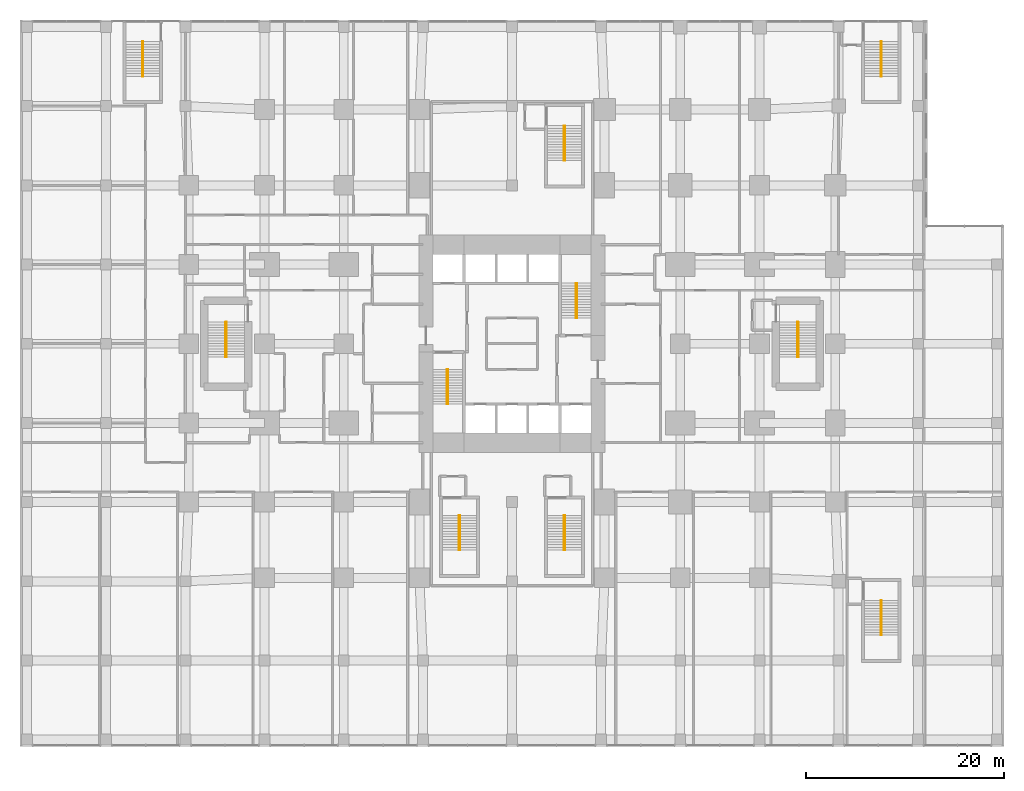
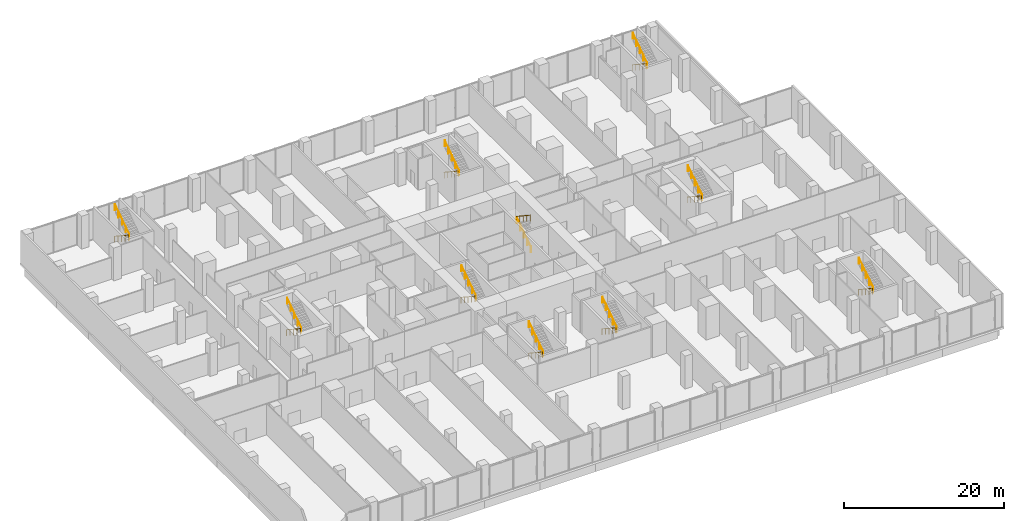
# One storey, part 22 of 22: 20 railings.
"""IFC4 building model written with IfcOpenShell, lengths in metres."""

import ifcopenshell
import ifcopenshell.guid

model = None  # the IFC model being written
_history = None  # IfcOwnerHistory: only IFC2X3 demands one
_inside = {}  # id of a spatial element -> (the spatial element, [elements in it])
_under = {}  # id of a project, library or spatial element -> (it, [spatial elements below it])
_declared = {}  # id of a project -> (the project, [libraries it declares])
_typed = {}  # id of a type object -> (the type object, [elements of that type])
_made_of = {}  # id of a material, layer set ... -> (it, [elements and type objects made of it])


def new_model(schema):
    """Start an empty IFC model of exactly this schema.

    Asked for "IFC4X3", IfcOpenShell would pick the latest addendum, in which some entities
    have other attributes; the version numbers below select the first issue.
    IFC2X3 requires an IfcOwnerHistory on every rooted entity: one is made here for all.
    """
    global model, _history
    if schema == "IFC4X3":
        model = ifcopenshell.file(schema_version=(4, 3, 0, 0))
    else:
        model = ifcopenshell.file(schema=schema)
    _inside.clear()
    _under.clear()
    _declared.clear()
    _typed.clear()
    _made_of.clear()
    _history = None
    if model.schema == "IFC2X3":
        org = make("IfcOrganization", Name="unknown")
        user = make(
            "IfcPersonAndOrganization",
            ThePerson=make("IfcPerson", FamilyName="unknown"),
            TheOrganization=org,
        )
        app = make(
            "IfcApplication",
            ApplicationDeveloper=org,
            Version="unknown",
            ApplicationFullName="unknown",
            ApplicationIdentifier="unknown",
        )
        _history = make(
            "IfcOwnerHistory",
            OwningUser=user,
            OwningApplication=app,
            ChangeAction="ADDED",
            CreationDate=0,
        )
    return model


def make(cls, **values):
    """One entity of the class cls with the attributes given. An attribute that is None is left unset."""
    return model.create_entity(
        cls, **{name: value for name, value in values.items() if value is not None}
    )


def rooted(cls, **values):
    """An entity with a GlobalId (a new one), such as an element, a storey or a relation."""
    return make(cls, GlobalId=ifcopenshell.guid.new(), OwnerHistory=_history, **values)


def si_unit(unit_type, name, prefix=None):
    """IfcSIUnit, for example si_unit("LENGTHUNIT", "METRE", prefix="MILLI")."""
    return make("IfcSIUnit", UnitType=unit_type, Prefix=prefix, Name=name)


def assignment(units):
    """IfcUnitAssignment: the units of a project."""
    return None if units is None else make("IfcUnitAssignment", Units=units)


def point(xyz):
    """IfcCartesianPoint."""
    return None if xyz is None else make("IfcCartesianPoint", Coordinates=xyz)


def direction(xyz):
    """IfcDirection."""
    return None if xyz is None else make("IfcDirection", DirectionRatios=xyz)


def frame(location, z_axis=None, x_axis=None):
    """IfcAxis2Placement3D, a coordinate frame: its origin and axes. An axis left out is left unset."""
    return make(
        "IfcAxis2Placement3D",
        Location=point(location),
        Axis=direction(z_axis),
        RefDirection=direction(x_axis),
    )


def frame_2d(location, x_axis=None):
    """IfcAxis2Placement2D, a coordinate frame in the plane: its origin and x axis."""
    return make(
        "IfcAxis2Placement2D", Location=point(location), RefDirection=direction(x_axis)
    )


def origin():
    """The frame at (0, 0, 0) with its axes left unset."""
    return frame((0.0, 0.0, 0.0))


def origin_2d():
    """The frame at (0, 0) in the plane with its x axis left unset."""
    return frame_2d((0.0, 0.0))


def place(relative_to, where):
    """IfcLocalPlacement: puts the frame where relative to a parent placement (None: the world)."""
    return make(
        "IfcLocalPlacement", PlacementRelTo=relative_to, RelativePlacement=where
    )


def context(
    kind, dimensions, precision=None, world=None, true_north=None, identifier=None
):
    """IfcGeometricRepresentationContext, for example the 3D "Model" context."""
    return make(
        "IfcGeometricRepresentationContext",
        ContextIdentifier=identifier,
        ContextType=kind,
        CoordinateSpaceDimension=dimensions,
        Precision=precision,
        WorldCoordinateSystem=world,
        TrueNorth=true_north,
    )


def subcontext(parent, identifier, kind, view, scale=None):
    """IfcGeometricRepresentationSubContext, for example "Body" below "Model"."""
    return make(
        "IfcGeometricRepresentationSubContext",
        ContextIdentifier=identifier,
        ContextType=kind,
        ParentContext=parent,
        TargetScale=scale,
        TargetView=view,
    )


def project(units=None, contexts=None):
    """IfcProject with its units and contexts."""
    return rooted(
        "IfcProject",
        Name="project",
        RepresentationContexts=contexts,
        UnitsInContext=assignment(units),
    )


def spatial(cls, under=None, at=None, **own):
    """A site, building, storey or space (cls), placed at a placement, below another one or the project."""
    s = rooted(cls, ObjectPlacement=at, **own)
    if under is not None:
        _under.setdefault(under.id(), (under, []))[1].append(s)
    return s


def profile(cls, at=None, kind="AREA", **sizes):
    """A parametric profile (cls). Its sizes go by their IFC names, for example OverallWidth=200.0."""
    return make(cls, ProfileType=kind, Position=at, **sizes)


def circle(**sizes):
    """IfcCircleProfileDef."""
    return profile("IfcCircleProfileDef", **sizes)


def extrude(swept, where, along, depth):
    """IfcExtrudedAreaSolid: the profile swept, set in the frame where, extruded along a direction by depth."""
    return make(
        "IfcExtrudedAreaSolid",
        SweptArea=swept,
        Position=where,
        ExtrudedDirection=direction(along),
        Depth=depth,
    )


def shape(context_of_items, identifier, shape_type, items):
    """IfcShapeRepresentation: the items that make up one representation, for example the "Body"."""
    return make(
        "IfcShapeRepresentation",
        ContextOfItems=context_of_items,
        RepresentationIdentifier=identifier,
        RepresentationType=shape_type,
        Items=items,
    )


def material(Name=None, Category=None):
    """IfcMaterial."""
    return make("IfcMaterial", Name=Name, Category=Category)


def made_of(thing, what):
    """Note that an element or type object is made of a material, layer set ...; save() writes the relation."""
    if what is not None:
        _made_of.setdefault(what.id(), (what, []))[1].append(thing)
    return thing


def type_object(cls, material=None, **own):
    """A type object (cls), such as IfcWallType, which elements share."""
    return made_of(rooted(cls, **own), material)


def element(
    cls,
    number,
    at=None,
    inside=None,
    cuts=None,
    type_object=None,
    material=None,
    context=None,
    identifier="Body",
    shape_type=None,
    held_by="IfcProductDefinitionShape",
    body=None,
    shapes=None,
    **own,
):
    """One element of the class cls, such as IfcWall. Its Tag is "e" and its number.

    at: its placement. inside: the storey or other place that contains it. cuts: it is an
    opening in that element (IfcRelVoidsElement). A single representation is given by context,
    identifier, shape_type and body (its items); several are given by shapes. held_by: the class
    of the entity that holds the representations. save() writes the other relations.
    """
    e = rooted(cls, Tag="e%d" % number, ObjectPlacement=at, **own)
    if body is not None:
        shapes = [shape(context, identifier, shape_type, body)]
    if shapes is not None:
        e.Representation = make(held_by, Representations=shapes)
    if inside is not None:
        _inside.setdefault(inside.id(), (inside, []))[1].append(e)
    if cuts is not None:
        rooted(
            "IfcRelVoidsElement", RelatingBuildingElement=cuts, RelatedOpeningElement=e
        )
    if type_object is not None:
        _typed.setdefault(type_object.id(), (type_object, []))[1].append(e)
    return made_of(e, material)


def aggregate(whole, parts):
    """IfcRelAggregates: a whole, such as a stair, and the parts it consists of."""
    return rooted("IfcRelAggregates", RelatingObject=whole, RelatedObjects=parts)


def save(model, path):
    """Write the relations noted so far, then the file.

    IfcRelAggregates (storeys below a building ...), IfcRelContainedInSpatialStructure (elements
    in a storey), IfcRelDefinesByType, IfcRelAssociatesMaterial and IfcRelDeclares: one each for
    every whole, place, type object, material and project.
    """
    for whole, parts in _under.values():
        aggregate(whole, parts)
    for where, things in _inside.values():
        rooted(
            "IfcRelContainedInSpatialStructure",
            RelatedElements=things,
            RelatingStructure=where,
        )
    for kind, things in _typed.values():
        rooted("IfcRelDefinesByType", RelatedObjects=things, RelatingType=kind)
    for what, things in _made_of.values():
        rooted("IfcRelAssociatesMaterial", RelatedObjects=things, RelatingMaterial=what)
    for by, libraries in _declared.values():
        rooted("IfcRelDeclares", RelatingContext=by, RelatedDefinitions=libraries)
    model.write(path)


model = new_model("IFC4")

# Units and contexts
model_context = context("Model", 3, precision=1e-05, world=origin(), true_north=direction((0.0, 1.0)))
body_context = subcontext(model_context, "Body", "Model", "MODEL_VIEW")
ifc_project = project(units=[si_unit("LENGTHUNIT", "METRE"), si_unit("AREAUNIT", "SQUARE_METRE"), si_unit("VOLUMEUNIT", "CUBIC_METRE"), si_unit("PLANEANGLEUNIT", "RADIAN"), si_unit("MASSUNIT", "GRAM", prefix="KILO")], contexts=[model_context])

# Site, building, storey
site_placement = place(None, origin())
site = spatial("IfcSite", under=ifc_project, at=site_placement, CompositionType="ELEMENT")
building_placement = place(site_placement, origin())
building = spatial("IfcBuilding", under=site, at=building_placement, Name="Cleftline Residences", CompositionType="ELEMENT")
storey_placement = place(building_placement, frame((0.0, 0.0, 6.0)))
storey = spatial("IfcBuildingStorey", under=building, at=storey_placement, Name="L01", CompositionType="ELEMENT", Elevation=6.0)

# Railings
ifc_material = material(Name="Stainless steel", Category="steel")
railing_type = type_object("IfcRailingType", Name="HANDRAIL 900", PredefinedType="HANDRAIL", material=ifc_material)
railing_1_placement = place(storey_placement, frame((26.449951171875, 21.39990234375, 0.1787109375)))
element("IfcRailing", 1, at=railing_1_placement, inside=storey, type_object=railing_type, Name="Stair handrail", PredefinedType="HANDRAIL", context=body_context, shape_type="SweptSolid", body=[
    extrude(circle(Radius=0.02392578125, at=origin_2d()), frame((0.0, 0.0, 0.8759765625), z_axis=(0.0, -0.834097473627, 0.551617081397), x_axis=(1.0, 0.0, 0.0)), (0.0, 0.0, 1.0), 4.208251953125),
    extrude(circle(Radius=0.02099609375, at=origin_2d()), origin(), (0.0, 0.0, 1.0), 0.851806640625),
    extrude(circle(Radius=0.02099609375, at=origin_2d()), frame((0.0, -0.87744140625, 0.580322265625)), (0.0, 0.0, 1.0), 0.851806640625),
    extrude(circle(Radius=0.02099609375, at=origin_2d()), frame((0.0, -1.7548828125, 1.16064453125)), (0.0, 0.0, 1.0), 0.851806640625),
    extrude(circle(Radius=0.02099609375, at=origin_2d()), frame((0.0, -2.632568359375, 1.740966796875)), (0.0, 0.0, 1.0), 0.851806640625),
    extrude(circle(Radius=0.02099609375, at=origin_2d()), frame((0.0, -3.510009765625, 2.3212890625)), (0.0, 0.0, 1.0), 0.851806640625),
])
for number, where, name in (
    (2, (26.550048828125, 17.889892578125, 2.6787109375), "Stair handrail"),
    (3, (39.550048828125, 26.60009765625, 0.1787109375), "Stair handrail"),
):
    element("IfcRailing", number, at=place(storey_placement, frame(where)), inside=storey, type_object=railing_type, Name=name, PredefinedType="HANDRAIL", context=body_context, shape_type="SweptSolid", body=[
        extrude(circle(Radius=0.02392578125, at=origin_2d()), frame((0.0, 0.0, 0.8759765625), z_axis=(0.0, 0.834097473627, 0.551617081397), x_axis=(-1.0, 0.0, 0.0)), (0.0, 0.0, 1.0), 4.208251953125),
        extrude(circle(Radius=0.02099609375, at=origin_2d()), origin(), (0.0, 0.0, 1.0), 0.851806640625),
        extrude(circle(Radius=0.02099609375, at=origin_2d()), frame((0.0, 0.87744140625, 0.580322265625)), (0.0, 0.0, 1.0), 0.851806640625),
        extrude(circle(Radius=0.02099609375, at=origin_2d()), frame((0.0, 1.7548828125, 1.16064453125)), (0.0, 0.0, 1.0), 0.851806640625),
        extrude(circle(Radius=0.02099609375, at=origin_2d()), frame((0.0, 2.632568359375, 1.740966796875)), (0.0, 0.0, 1.0), 0.851806640625),
        extrude(circle(Radius=0.02099609375, at=origin_2d()), frame((0.0, 3.510009765625, 2.3212890625)), (0.0, 0.0, 1.0), 0.851806640625),
    ])
for number, where, name in (
    (4, (39.449951171875, 30.110107421875, 2.6787109375), "Stair handrail"),
    (5, (27.64990234375, 6.669921875, 0.1787109375), "Stair handrail"),
):
    element("IfcRailing", number, at=place(storey_placement, frame(where)), inside=storey, type_object=railing_type, Name=name, PredefinedType="HANDRAIL", context=body_context, shape_type="SweptSolid", body=[
        extrude(circle(Radius=0.02392578125, at=origin_2d()), frame((0.0, 0.0, 0.8759765625), z_axis=(0.0, -0.834097473627, 0.551617081397), x_axis=(1.0, 0.0, 0.0)), (0.0, 0.0, 1.0), 4.208251953125),
        extrude(circle(Radius=0.02099609375, at=origin_2d()), origin(), (0.0, 0.0, 1.0), 0.851806640625),
        extrude(circle(Radius=0.02099609375, at=origin_2d()), frame((0.0, -0.87744140625, 0.580322265625)), (0.0, 0.0, 1.0), 0.851806640625),
        extrude(circle(Radius=0.02099609375, at=origin_2d()), frame((0.0, -1.7548828125, 1.16064453125)), (0.0, 0.0, 1.0), 0.851806640625),
        extrude(circle(Radius=0.02099609375, at=origin_2d()), frame((0.0, -2.632568359375, 1.740966796875)), (0.0, 0.0, 1.0), 0.851806640625),
        extrude(circle(Radius=0.02099609375, at=origin_2d()), frame((0.0, -3.510009765625, 2.3212890625)), (0.0, 0.0, 1.0), 0.851806640625),
    ])
railing_2_placement = place(storey_placement, frame((27.75, 3.159912109375, 2.6787109375)))
element("IfcRailing", 6, at=railing_2_placement, inside=storey, type_object=railing_type, Name="Stair handrail", PredefinedType="HANDRAIL", context=body_context, shape_type="SweptSolid", body=[
    extrude(circle(Radius=0.02392578125, at=origin_2d()), frame((0.0, 0.0, 0.8759765625), z_axis=(0.0, 0.834097473627, 0.551617081397), x_axis=(-1.0, 0.0, 0.0)), (0.0, 0.0, 1.0), 4.208251953125),
    extrude(circle(Radius=0.02099609375, at=origin_2d()), origin(), (0.0, 0.0, 1.0), 0.851806640625),
    extrude(circle(Radius=0.02099609375, at=origin_2d()), frame((0.0, 0.87744140625, 0.580322265625)), (0.0, 0.0, 1.0), 0.851806640625),
    extrude(circle(Radius=0.02099609375, at=origin_2d()), frame((0.0, 1.7548828125, 1.16064453125)), (0.0, 0.0, 1.0), 0.851806640625),
    extrude(circle(Radius=0.02099609375, at=origin_2d()), frame((0.0, 2.632568359375, 1.740966796875)), (0.0, 0.0, 1.0), 0.851806640625),
    extrude(circle(Radius=0.02099609375, at=origin_2d()), frame((0.0, 3.510009765625, 2.3212890625)), (0.0, 0.0, 1.0), 0.851806640625),
])
railing_3_placement = place(storey_placement, frame((38.25, 6.669921875, 0.1787109375)))
element("IfcRailing", 7, at=railing_3_placement, inside=storey, type_object=railing_type, Name="Stair handrail", PredefinedType="HANDRAIL", context=body_context, shape_type="SweptSolid", body=[
    extrude(circle(Radius=0.02392578125, at=origin_2d()), frame((0.0, 0.0, 0.8759765625), z_axis=(0.0, -0.834097473627, 0.551617081397), x_axis=(1.0, 0.0, 0.0)), (0.0, 0.0, 1.0), 4.208251953125),
    extrude(circle(Radius=0.02099609375, at=origin_2d()), origin(), (0.0, 0.0, 1.0), 0.851806640625),
    extrude(circle(Radius=0.02099609375, at=origin_2d()), frame((0.0, -0.87744140625, 0.580322265625)), (0.0, 0.0, 1.0), 0.851806640625),
    extrude(circle(Radius=0.02099609375, at=origin_2d()), frame((0.0, -1.7548828125, 1.16064453125)), (0.0, 0.0, 1.0), 0.851806640625),
    extrude(circle(Radius=0.02099609375, at=origin_2d()), frame((0.0, -2.632568359375, 1.740966796875)), (0.0, 0.0, 1.0), 0.851806640625),
    extrude(circle(Radius=0.02099609375, at=origin_2d()), frame((0.0, -3.510009765625, 2.3212890625)), (0.0, 0.0, 1.0), 0.851806640625),
])
railing_4_placement = place(storey_placement, frame((38.35009765625, 3.159912109375, 2.6787109375)))
element("IfcRailing", 8, at=railing_4_placement, inside=storey, type_object=railing_type, Name="Stair handrail", PredefinedType="HANDRAIL", context=body_context, shape_type="SweptSolid", body=[
    extrude(circle(Radius=0.02392578125, at=origin_2d()), frame((0.0, 0.0, 0.8759765625), z_axis=(0.0, 0.834097473627, 0.551617081397), x_axis=(-1.0, 0.0, 0.0)), (0.0, 0.0, 1.0), 4.208251953125),
    extrude(circle(Radius=0.02099609375, at=origin_2d()), origin(), (0.0, 0.0, 1.0), 0.851806640625),
    extrude(circle(Radius=0.02099609375, at=origin_2d()), frame((0.0, 0.87744140625, 0.580322265625)), (0.0, 0.0, 1.0), 0.851806640625),
    extrude(circle(Radius=0.02099609375, at=origin_2d()), frame((0.0, 1.7548828125, 1.16064453125)), (0.0, 0.0, 1.0), 0.851806640625),
    extrude(circle(Radius=0.02099609375, at=origin_2d()), frame((0.0, 2.632568359375, 1.740966796875)), (0.0, 0.0, 1.0), 0.851806640625),
    extrude(circle(Radius=0.02099609375, at=origin_2d()), frame((0.0, 3.510009765625, 2.3212890625)), (0.0, 0.0, 1.0), 0.851806640625),
])
railing_5_placement = place(storey_placement, frame((38.25, 46.02001953125, 0.1787109375)))
element("IfcRailing", 9, at=railing_5_placement, inside=storey, type_object=railing_type, Name="Stair handrail", PredefinedType="HANDRAIL", context=body_context, shape_type="SweptSolid", body=[
    extrude(circle(Radius=0.02392578125, at=origin_2d()), frame((0.0, 0.0, 0.8759765625), z_axis=(0.0, -0.834097473627, 0.551617081397), x_axis=(1.0, 0.0, 0.0)), (0.0, 0.0, 1.0), 4.208251953125),
    extrude(circle(Radius=0.02099609375, at=origin_2d()), origin(), (0.0, 0.0, 1.0), 0.851806640625),
    extrude(circle(Radius=0.02099609375, at=origin_2d()), frame((0.0, -0.87744140625, 0.580322265625)), (0.0, 0.0, 1.0), 0.851806640625),
    extrude(circle(Radius=0.02099609375, at=origin_2d()), frame((0.0, -1.7548828125, 1.16064453125)), (0.0, 0.0, 1.0), 0.851806640625),
    extrude(circle(Radius=0.02099609375, at=origin_2d()), frame((0.0, -2.632568359375, 1.740966796875)), (0.0, 0.0, 1.0), 0.851806640625),
    extrude(circle(Radius=0.02099609375, at=origin_2d()), frame((0.0, -3.510009765625, 2.3212890625)), (0.0, 0.0, 1.0), 0.851806640625),
])
railing_6_placement = place(storey_placement, frame((38.35009765625, 42.510009765625, 2.6787109375)))
element("IfcRailing", 10, at=railing_6_placement, inside=storey, type_object=railing_type, Name="Stair handrail", PredefinedType="HANDRAIL", context=body_context, shape_type="SweptSolid", body=[
    extrude(circle(Radius=0.02392578125, at=origin_2d()), frame((0.0, 0.0, 0.8759765625), z_axis=(0.0, 0.834097473627, 0.551617081397), x_axis=(-1.0, 0.0, 0.0)), (0.0, 0.0, 1.0), 4.208251953125),
    extrude(circle(Radius=0.02099609375, at=origin_2d()), origin(), (0.0, 0.0, 1.0), 0.851806640625),
    extrude(circle(Radius=0.02099609375, at=origin_2d()), frame((0.0, 0.87744140625, 0.580322265625)), (0.0, 0.0, 1.0), 0.851806640625),
    extrude(circle(Radius=0.02099609375, at=origin_2d()), frame((0.0, 1.7548828125, 1.16064453125)), (0.0, 0.0, 1.0), 0.851806640625),
    extrude(circle(Radius=0.02099609375, at=origin_2d()), frame((0.0, 2.632568359375, 1.740966796875)), (0.0, 0.0, 1.0), 0.851806640625),
    extrude(circle(Radius=0.02099609375, at=origin_2d()), frame((0.0, 3.510009765625, 2.3212890625)), (0.0, 0.0, 1.0), 0.851806640625),
])
railing_7_placement = place(storey_placement, frame((61.824951171875, 26.175048828125, 0.1787109375)))
element("IfcRailing", 11, at=railing_7_placement, inside=storey, type_object=railing_type, Name="Stair handrail", PredefinedType="HANDRAIL", context=body_context, shape_type="SweptSolid", body=[
    extrude(circle(Radius=0.02392578125, at=origin_2d()), frame((0.0, 0.0, 0.8759765625), z_axis=(0.0, -0.834097473627, 0.551617081397), x_axis=(1.0, 0.0, 0.0)), (0.0, 0.0, 1.0), 4.208251953125),
    extrude(circle(Radius=0.02099609375, at=origin_2d()), origin(), (0.0, 0.0, 1.0), 0.851806640625),
    extrude(circle(Radius=0.02099609375, at=origin_2d()), frame((0.0, -0.87744140625, 0.580322265625)), (0.0, 0.0, 1.0), 0.851806640625),
    extrude(circle(Radius=0.02099609375, at=origin_2d()), frame((0.0, -1.7548828125, 1.16064453125)), (0.0, 0.0, 1.0), 0.851806640625),
    extrude(circle(Radius=0.02099609375, at=origin_2d()), frame((0.0, -2.632568359375, 1.740966796875)), (0.0, 0.0, 1.0), 0.851806640625),
    extrude(circle(Radius=0.02099609375, at=origin_2d()), frame((0.0, -3.510009765625, 2.3212890625)), (0.0, 0.0, 1.0), 0.851806640625),
])
railing_8_placement = place(storey_placement, frame((61.925048828125, 22.6650390625, 2.6787109375)))
element("IfcRailing", 12, at=railing_8_placement, inside=storey, type_object=railing_type, Name="Stair handrail", PredefinedType="HANDRAIL", context=body_context, shape_type="SweptSolid", body=[
    extrude(circle(Radius=0.02392578125, at=origin_2d()), frame((0.0, 0.0, 0.8759765625), z_axis=(0.0, 0.834097473627, 0.551617081397), x_axis=(-1.0, 0.0, 0.0)), (0.0, 0.0, 1.0), 4.208251953125),
    extrude(circle(Radius=0.02099609375, at=origin_2d()), origin(), (0.0, 0.0, 1.0), 0.851806640625),
    extrude(circle(Radius=0.02099609375, at=origin_2d()), frame((0.0, 0.87744140625, 0.580322265625)), (0.0, 0.0, 1.0), 0.851806640625),
    extrude(circle(Radius=0.02099609375, at=origin_2d()), frame((0.0, 1.7548828125, 1.16064453125)), (0.0, 0.0, 1.0), 0.851806640625),
    extrude(circle(Radius=0.02099609375, at=origin_2d()), frame((0.0, 2.632568359375, 1.740966796875)), (0.0, 0.0, 1.0), 0.851806640625),
    extrude(circle(Radius=0.02099609375, at=origin_2d()), frame((0.0, 3.510009765625, 2.3212890625)), (0.0, 0.0, 1.0), 0.851806640625),
])
railing_9_placement = place(storey_placement, frame((70.25, 54.52001953125, 0.1787109375)))
element("IfcRailing", 13, at=railing_9_placement, inside=storey, type_object=railing_type, Name="Stair handrail", PredefinedType="HANDRAIL", context=body_context, shape_type="SweptSolid", body=[
    extrude(circle(Radius=0.02392578125, at=origin_2d()), frame((0.0, 0.0, 0.8759765625), z_axis=(0.0, -0.834097473627, 0.551617081397), x_axis=(1.0, 0.0, 0.0)), (0.0, 0.0, 1.0), 4.208251953125),
    extrude(circle(Radius=0.02099609375, at=origin_2d()), origin(), (0.0, 0.0, 1.0), 0.851806640625),
    extrude(circle(Radius=0.02099609375, at=origin_2d()), frame((0.0, -0.87744140625, 0.580322265625)), (0.0, 0.0, 1.0), 0.851806640625),
    extrude(circle(Radius=0.02099609375, at=origin_2d()), frame((0.0, -1.7548828125, 1.16064453125)), (0.0, 0.0, 1.0), 0.851806640625),
    extrude(circle(Radius=0.02099609375, at=origin_2d()), frame((0.0, -2.632568359375, 1.740966796875)), (0.0, 0.0, 1.0), 0.851806640625),
    extrude(circle(Radius=0.02099609375, at=origin_2d()), frame((0.0, -3.510009765625, 2.3212890625)), (0.0, 0.0, 1.0), 0.851806640625),
])
railing_10_placement = place(storey_placement, frame((70.35009765625, 51.010009765625, 2.6787109375)))
element("IfcRailing", 14, at=railing_10_placement, inside=storey, type_object=railing_type, Name="Stair handrail", PredefinedType="HANDRAIL", context=body_context, shape_type="SweptSolid", body=[
    extrude(circle(Radius=0.02392578125, at=origin_2d()), frame((0.0, 0.0, 0.8759765625), z_axis=(0.0, 0.834097473627, 0.551617081397), x_axis=(-1.0, 0.0, 0.0)), (0.0, 0.0, 1.0), 4.208251953125),
    extrude(circle(Radius=0.02099609375, at=origin_2d()), origin(), (0.0, 0.0, 1.0), 0.851806640625),
    extrude(circle(Radius=0.02099609375, at=origin_2d()), frame((0.0, 0.87744140625, 0.580322265625)), (0.0, 0.0, 1.0), 0.851806640625),
    extrude(circle(Radius=0.02099609375, at=origin_2d()), frame((0.0, 1.7548828125, 1.16064453125)), (0.0, 0.0, 1.0), 0.851806640625),
    extrude(circle(Radius=0.02099609375, at=origin_2d()), frame((0.0, 2.632568359375, 1.740966796875)), (0.0, 0.0, 1.0), 0.851806640625),
    extrude(circle(Radius=0.02099609375, at=origin_2d()), frame((0.0, 3.510009765625, 2.3212890625)), (0.0, 0.0, 1.0), 0.851806640625),
])
railing_11_placement = place(storey_placement, frame((70.25, -1.929931640625, 0.1787109375)))
element("IfcRailing", 15, at=railing_11_placement, inside=storey, type_object=railing_type, Name="Stair handrail", PredefinedType="HANDRAIL", context=body_context, shape_type="SweptSolid", body=[
    extrude(circle(Radius=0.02392578125, at=origin_2d()), frame((0.0, 0.0, 0.8759765625), z_axis=(0.0, -0.834097473627, 0.551617081397), x_axis=(1.0, 0.0, 0.0)), (0.0, 0.0, 1.0), 4.208251953125),
    extrude(circle(Radius=0.02099609375, at=origin_2d()), origin(), (0.0, 0.0, 1.0), 0.851806640625),
    extrude(circle(Radius=0.02099609375, at=origin_2d()), frame((0.0, -0.87744140625, 0.580322265625)), (0.0, 0.0, 1.0), 0.851806640625),
    extrude(circle(Radius=0.02099609375, at=origin_2d()), frame((0.0, -1.7548828125, 1.16064453125)), (0.0, 0.0, 1.0), 0.851806640625),
    extrude(circle(Radius=0.02099609375, at=origin_2d()), frame((0.0, -2.632568359375, 1.740966796875)), (0.0, 0.0, 1.0), 0.851806640625),
    extrude(circle(Radius=0.02099609375, at=origin_2d()), frame((0.0, -3.510009765625, 2.3212890625)), (0.0, 0.0, 1.0), 0.851806640625),
])
railing_12_placement = place(storey_placement, frame((70.35009765625, -5.43994140625, 2.6787109375)))
element("IfcRailing", 16, at=railing_12_placement, inside=storey, type_object=railing_type, Name="Stair handrail", PredefinedType="HANDRAIL", context=body_context, shape_type="SweptSolid", body=[
    extrude(circle(Radius=0.02392578125, at=origin_2d()), frame((0.0, 0.0, 0.8759765625), z_axis=(0.0, 0.834097473627, 0.551617081397), x_axis=(-1.0, 0.0, 0.0)), (0.0, 0.0, 1.0), 4.208251953125),
    extrude(circle(Radius=0.02099609375, at=origin_2d()), origin(), (0.0, 0.0, 1.0), 0.851806640625),
    extrude(circle(Radius=0.02099609375, at=origin_2d()), frame((0.0, 0.87744140625, 0.580322265625)), (0.0, 0.0, 1.0), 0.851806640625),
    extrude(circle(Radius=0.02099609375, at=origin_2d()), frame((0.0, 1.7548828125, 1.16064453125)), (0.0, 0.0, 1.0), 0.851806640625),
    extrude(circle(Radius=0.02099609375, at=origin_2d()), frame((0.0, 2.632568359375, 1.740966796875)), (0.0, 0.0, 1.0), 0.851806640625),
    extrude(circle(Radius=0.02099609375, at=origin_2d()), frame((0.0, 3.510009765625, 2.3212890625)), (0.0, 0.0, 1.0), 0.851806640625),
])
railing_13_placement = place(storey_placement, frame((-4.35009765625, 54.52001953125, 0.1787109375)))
element("IfcRailing", 17, at=railing_13_placement, inside=storey, type_object=railing_type, Name="Stair handrail", PredefinedType="HANDRAIL", context=body_context, shape_type="SweptSolid", body=[
    extrude(circle(Radius=0.02392578125, at=origin_2d()), frame((0.0, 0.0, 0.8759765625), z_axis=(0.0, -0.834097473627, 0.551617081397), x_axis=(1.0, 0.0, 0.0)), (0.0, 0.0, 1.0), 4.208251953125),
    extrude(circle(Radius=0.02099609375, at=origin_2d()), origin(), (0.0, 0.0, 1.0), 0.851806640625),
    extrude(circle(Radius=0.02099609375, at=origin_2d()), frame((0.0, -0.87744140625, 0.580322265625)), (0.0, 0.0, 1.0), 0.851806640625),
    extrude(circle(Radius=0.02099609375, at=origin_2d()), frame((0.0, -1.7548828125, 1.16064453125)), (0.0, 0.0, 1.0), 0.851806640625),
    extrude(circle(Radius=0.02099609375, at=origin_2d()), frame((0.0, -2.632568359375, 1.740966796875)), (0.0, 0.0, 1.0), 0.851806640625),
    extrude(circle(Radius=0.02099609375, at=origin_2d()), frame((0.0, -3.510009765625, 2.3212890625)), (0.0, 0.0, 1.0), 0.851806640625),
])
railing_14_placement = place(storey_placement, frame((-4.25, 51.010009765625, 2.6787109375)))
element("IfcRailing", 18, at=railing_14_placement, inside=storey, type_object=railing_type, Name="Stair handrail", PredefinedType="HANDRAIL", context=body_context, shape_type="SweptSolid", body=[
    extrude(circle(Radius=0.02392578125, at=origin_2d()), frame((0.0, 0.0, 0.8759765625), z_axis=(0.0, 0.834097473627, 0.551617081397), x_axis=(-1.0, 0.0, 0.0)), (0.0, 0.0, 1.0), 4.208251953125),
    extrude(circle(Radius=0.02099609375, at=origin_2d()), origin(), (0.0, 0.0, 1.0), 0.851806640625),
    extrude(circle(Radius=0.02099609375, at=origin_2d()), frame((0.0, 0.87744140625, 0.580322265625)), (0.0, 0.0, 1.0), 0.851806640625),
    extrude(circle(Radius=0.02099609375, at=origin_2d()), frame((0.0, 1.7548828125, 1.16064453125)), (0.0, 0.0, 1.0), 0.851806640625),
    extrude(circle(Radius=0.02099609375, at=origin_2d()), frame((0.0, 2.632568359375, 1.740966796875)), (0.0, 0.0, 1.0), 0.851806640625),
    extrude(circle(Radius=0.02099609375, at=origin_2d()), frame((0.0, 3.510009765625, 2.3212890625)), (0.0, 0.0, 1.0), 0.851806640625),
])
railing_15_placement = place(storey_placement, frame((4.074951171875, 26.175048828125, 0.1787109375)))
element("IfcRailing", 19, at=railing_15_placement, inside=storey, type_object=railing_type, Name="Stair handrail", PredefinedType="HANDRAIL", context=body_context, shape_type="SweptSolid", body=[
    extrude(circle(Radius=0.02392578125, at=origin_2d()), frame((0.0, 0.0, 0.8759765625), z_axis=(0.0, -0.834097473627, 0.551617081397), x_axis=(1.0, 0.0, 0.0)), (0.0, 0.0, 1.0), 4.208251953125),
    extrude(circle(Radius=0.02099609375, at=origin_2d()), origin(), (0.0, 0.0, 1.0), 0.851806640625),
    extrude(circle(Radius=0.02099609375, at=origin_2d()), frame((0.0, -0.87744140625, 0.580322265625)), (0.0, 0.0, 1.0), 0.851806640625),
    extrude(circle(Radius=0.02099609375, at=origin_2d()), frame((0.0, -1.7548828125, 1.16064453125)), (0.0, 0.0, 1.0), 0.851806640625),
    extrude(circle(Radius=0.02099609375, at=origin_2d()), frame((0.0, -2.632568359375, 1.740966796875)), (0.0, 0.0, 1.0), 0.851806640625),
    extrude(circle(Radius=0.02099609375, at=origin_2d()), frame((0.0, -3.510009765625, 2.3212890625)), (0.0, 0.0, 1.0), 0.851806640625),
])
railing_16_placement = place(storey_placement, frame((4.175048828125, 22.6650390625, 2.6787109375)))
element("IfcRailing", 20, at=railing_16_placement, inside=storey, type_object=railing_type, Name="Stair handrail", PredefinedType="HANDRAIL", context=body_context, shape_type="SweptSolid", body=[
    extrude(circle(Radius=0.02392578125, at=origin_2d()), frame((0.0, 0.0, 0.8759765625), z_axis=(0.0, 0.834097473627, 0.551617081397), x_axis=(-1.0, 0.0, 0.0)), (0.0, 0.0, 1.0), 4.208251953125),
    extrude(circle(Radius=0.02099609375, at=origin_2d()), origin(), (0.0, 0.0, 1.0), 0.851806640625),
    extrude(circle(Radius=0.02099609375, at=origin_2d()), frame((0.0, 0.87744140625, 0.580322265625)), (0.0, 0.0, 1.0), 0.851806640625),
    extrude(circle(Radius=0.02099609375, at=origin_2d()), frame((0.0, 1.7548828125, 1.16064453125)), (0.0, 0.0, 1.0), 0.851806640625),
    extrude(circle(Radius=0.02099609375, at=origin_2d()), frame((0.0, 2.632568359375, 1.740966796875)), (0.0, 0.0, 1.0), 0.851806640625),
    extrude(circle(Radius=0.02099609375, at=origin_2d()), frame((0.0, 3.510009765625, 2.3212890625)), (0.0, 0.0, 1.0), 0.851806640625),
])

save(model, "model.ifc")
